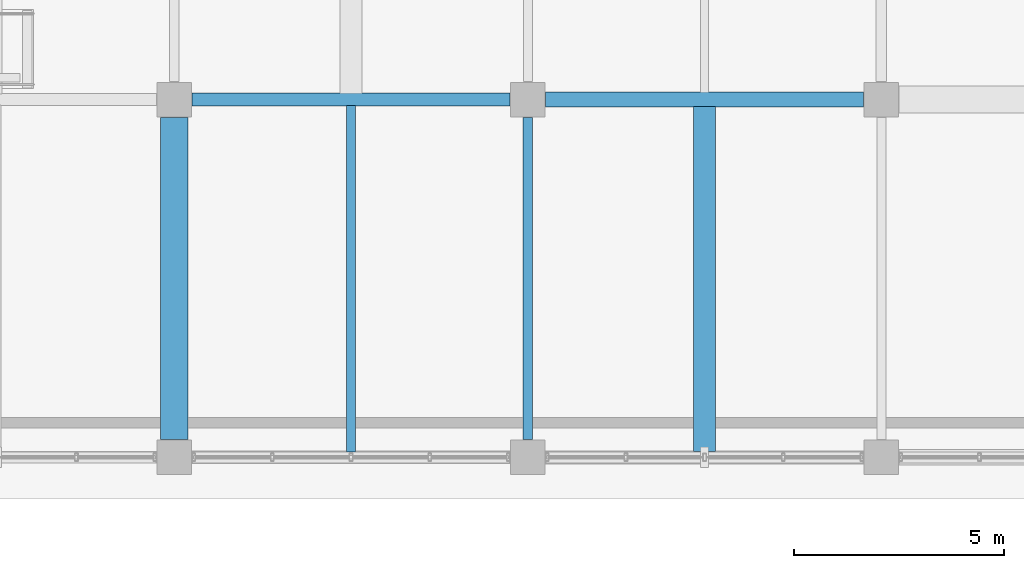
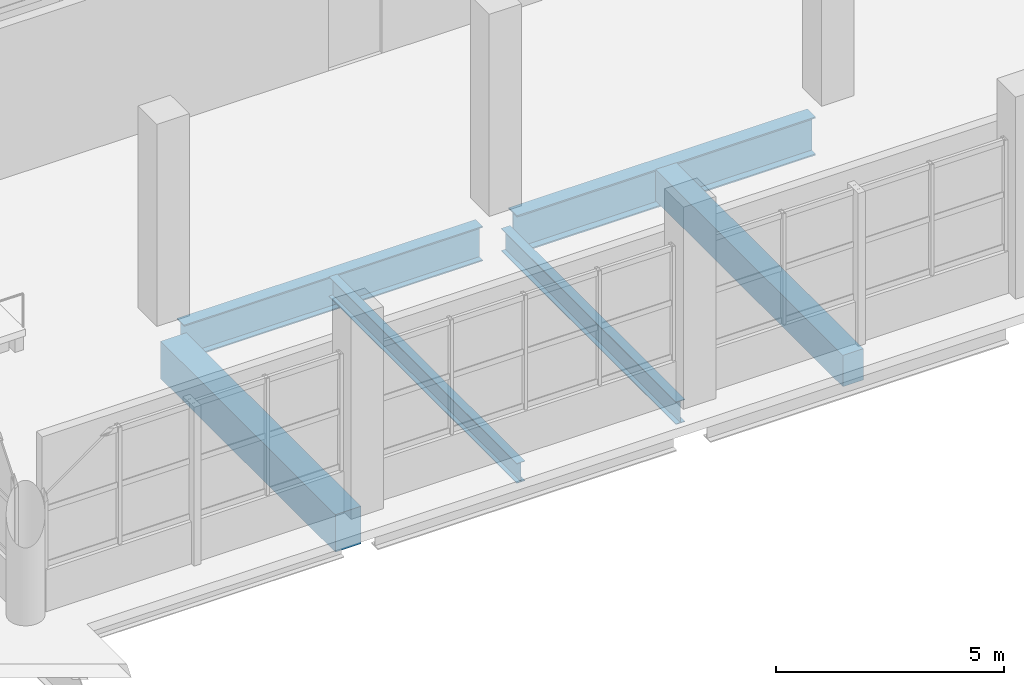
# One storey, part 32 of 107: 6 beams.
"""IFC4 building model written with IfcOpenShell, lengths in metres."""

import ifcopenshell
import ifcopenshell.guid

model = None  # the IFC model being written
_history = None  # IfcOwnerHistory: only IFC2X3 demands one
_inside = {}  # id of a spatial element -> (the spatial element, [elements in it])
_under = {}  # id of a project, library or spatial element -> (it, [spatial elements below it])
_declared = {}  # id of a project -> (the project, [libraries it declares])
_typed = {}  # id of a type object -> (the type object, [elements of that type])
_made_of = {}  # id of a material, layer set ... -> (it, [elements and type objects made of it])


def new_model(schema):
    """Start an empty IFC model of exactly this schema.

    Asked for "IFC4X3", IfcOpenShell would pick the latest addendum, in which some entities
    have other attributes; the version numbers below select the first issue.
    IFC2X3 requires an IfcOwnerHistory on every rooted entity: one is made here for all.
    """
    global model, _history
    if schema == "IFC4X3":
        model = ifcopenshell.file(schema_version=(4, 3, 0, 0))
    else:
        model = ifcopenshell.file(schema=schema)
    _inside.clear()
    _under.clear()
    _declared.clear()
    _typed.clear()
    _made_of.clear()
    _history = None
    if model.schema == "IFC2X3":
        org = make("IfcOrganization", Name="unknown")
        user = make(
            "IfcPersonAndOrganization",
            ThePerson=make("IfcPerson", FamilyName="unknown"),
            TheOrganization=org,
        )
        app = make(
            "IfcApplication",
            ApplicationDeveloper=org,
            Version="unknown",
            ApplicationFullName="unknown",
            ApplicationIdentifier="unknown",
        )
        _history = make(
            "IfcOwnerHistory",
            OwningUser=user,
            OwningApplication=app,
            ChangeAction="ADDED",
            CreationDate=0,
        )
    return model


def make(cls, **values):
    """One entity of the class cls with the attributes given. An attribute that is None is left unset."""
    return model.create_entity(
        cls, **{name: value for name, value in values.items() if value is not None}
    )


def rooted(cls, **values):
    """An entity with a GlobalId (a new one), such as an element, a storey or a relation."""
    return make(cls, GlobalId=ifcopenshell.guid.new(), OwnerHistory=_history, **values)


def si_unit(unit_type, name, prefix=None):
    """IfcSIUnit, for example si_unit("LENGTHUNIT", "METRE", prefix="MILLI")."""
    return make("IfcSIUnit", UnitType=unit_type, Prefix=prefix, Name=name)


def assignment(units):
    """IfcUnitAssignment: the units of a project."""
    return None if units is None else make("IfcUnitAssignment", Units=units)


def point(xyz):
    """IfcCartesianPoint."""
    return None if xyz is None else make("IfcCartesianPoint", Coordinates=xyz)


def direction(xyz):
    """IfcDirection."""
    return None if xyz is None else make("IfcDirection", DirectionRatios=xyz)


def frame(location, z_axis=None, x_axis=None):
    """IfcAxis2Placement3D, a coordinate frame: its origin and axes. An axis left out is left unset."""
    return make(
        "IfcAxis2Placement3D",
        Location=point(location),
        Axis=direction(z_axis),
        RefDirection=direction(x_axis),
    )


def frame_2d(location, x_axis=None):
    """IfcAxis2Placement2D, a coordinate frame in the plane: its origin and x axis."""
    return make(
        "IfcAxis2Placement2D", Location=point(location), RefDirection=direction(x_axis)
    )


def origin():
    """The frame at (0, 0, 0) with its axes left unset."""
    return frame((0.0, 0.0, 0.0))


def origin_2d():
    """The frame at (0, 0) in the plane with its x axis left unset."""
    return frame_2d((0.0, 0.0))


def place(relative_to, where):
    """IfcLocalPlacement: puts the frame where relative to a parent placement (None: the world)."""
    return make(
        "IfcLocalPlacement", PlacementRelTo=relative_to, RelativePlacement=where
    )


def context(
    kind, dimensions, precision=None, world=None, true_north=None, identifier=None
):
    """IfcGeometricRepresentationContext, for example the 3D "Model" context."""
    return make(
        "IfcGeometricRepresentationContext",
        ContextIdentifier=identifier,
        ContextType=kind,
        CoordinateSpaceDimension=dimensions,
        Precision=precision,
        WorldCoordinateSystem=world,
        TrueNorth=true_north,
    )


def subcontext(parent, identifier, kind, view, scale=None):
    """IfcGeometricRepresentationSubContext, for example "Body" below "Model"."""
    return make(
        "IfcGeometricRepresentationSubContext",
        ContextIdentifier=identifier,
        ContextType=kind,
        ParentContext=parent,
        TargetScale=scale,
        TargetView=view,
    )


def project(units=None, contexts=None):
    """IfcProject with its units and contexts."""
    return rooted(
        "IfcProject",
        Name="project",
        RepresentationContexts=contexts,
        UnitsInContext=assignment(units),
    )


def spatial(cls, under=None, at=None, **own):
    """A site, building, storey or space (cls), placed at a placement, below another one or the project."""
    s = rooted(cls, ObjectPlacement=at, **own)
    if under is not None:
        _under.setdefault(under.id(), (under, []))[1].append(s)
    return s


def profile(cls, at=None, kind="AREA", **sizes):
    """A parametric profile (cls). Its sizes go by their IFC names, for example OverallWidth=200.0."""
    return make(cls, ProfileType=kind, Position=at, **sizes)


def rectangle(**sizes):
    """IfcRectangleProfileDef."""
    return profile("IfcRectangleProfileDef", **sizes)


def i_section(**sizes):
    """IfcIShapeProfileDef."""
    return profile("IfcIShapeProfileDef", **sizes)


def extrude(swept, where, along, depth):
    """IfcExtrudedAreaSolid: the profile swept, set in the frame where, extruded along a direction by depth."""
    return make(
        "IfcExtrudedAreaSolid",
        SweptArea=swept,
        Position=where,
        ExtrudedDirection=direction(along),
        Depth=depth,
    )


def shape(context_of_items, identifier, shape_type, items):
    """IfcShapeRepresentation: the items that make up one representation, for example the "Body"."""
    return make(
        "IfcShapeRepresentation",
        ContextOfItems=context_of_items,
        RepresentationIdentifier=identifier,
        RepresentationType=shape_type,
        Items=items,
    )


def material(Name=None, Category=None):
    """IfcMaterial."""
    return make("IfcMaterial", Name=Name, Category=Category)


def material_profile(
    of_material, cross_section, Name=None, Category=None, Priority=None
):
    """IfcMaterialProfile: a cross section and its material."""
    return make(
        "IfcMaterialProfile",
        Name=Name,
        Material=of_material,
        Profile=cross_section,
        Priority=Priority,
        Category=Category,
    )


def profile_set(profiles, Name=None, composite=None):
    """IfcMaterialProfileSet."""
    return make(
        "IfcMaterialProfileSet",
        Name=Name,
        MaterialProfiles=profiles,
        CompositeProfile=composite,
    )


def made_of(thing, what):
    """Note that an element or type object is made of a material, layer set ...; save() writes the relation."""
    if what is not None:
        _made_of.setdefault(what.id(), (what, []))[1].append(thing)
    return thing


def type_object(cls, material=None, **own):
    """A type object (cls), such as IfcWallType, which elements share."""
    return made_of(rooted(cls, **own), material)


def element(
    cls,
    number,
    at=None,
    inside=None,
    cuts=None,
    type_object=None,
    material=None,
    context=None,
    identifier="Body",
    shape_type=None,
    held_by="IfcProductDefinitionShape",
    body=None,
    shapes=None,
    **own,
):
    """One element of the class cls, such as IfcWall. Its Tag is "e" and its number.

    at: its placement. inside: the storey or other place that contains it. cuts: it is an
    opening in that element (IfcRelVoidsElement). A single representation is given by context,
    identifier, shape_type and body (its items); several are given by shapes. held_by: the class
    of the entity that holds the representations. save() writes the other relations.
    """
    e = rooted(cls, Tag="e%d" % number, ObjectPlacement=at, **own)
    if body is not None:
        shapes = [shape(context, identifier, shape_type, body)]
    if shapes is not None:
        e.Representation = make(held_by, Representations=shapes)
    if inside is not None:
        _inside.setdefault(inside.id(), (inside, []))[1].append(e)
    if cuts is not None:
        rooted(
            "IfcRelVoidsElement", RelatingBuildingElement=cuts, RelatedOpeningElement=e
        )
    if type_object is not None:
        _typed.setdefault(type_object.id(), (type_object, []))[1].append(e)
    return made_of(e, material)


def aggregate(whole, parts):
    """IfcRelAggregates: a whole, such as a stair, and the parts it consists of."""
    return rooted("IfcRelAggregates", RelatingObject=whole, RelatedObjects=parts)


def save(model, path):
    """Write the relations noted so far, then the file.

    IfcRelAggregates (storeys below a building ...), IfcRelContainedInSpatialStructure (elements
    in a storey), IfcRelDefinesByType, IfcRelAssociatesMaterial and IfcRelDeclares: one each for
    every whole, place, type object, material and project.
    """
    for whole, parts in _under.values():
        aggregate(whole, parts)
    for where, things in _inside.values():
        rooted(
            "IfcRelContainedInSpatialStructure",
            RelatedElements=things,
            RelatingStructure=where,
        )
    for kind, things in _typed.values():
        rooted("IfcRelDefinesByType", RelatedObjects=things, RelatingType=kind)
    for what, things in _made_of.values():
        rooted("IfcRelAssociatesMaterial", RelatedObjects=things, RelatingMaterial=what)
    for by, libraries in _declared.values():
        rooted("IfcRelDeclares", RelatingContext=by, RelatedDefinitions=libraries)
    model.write(path)


model = new_model("IFC4")

# Units and contexts
model_context = context("Model", 3, precision=1e-05, world=origin(), true_north=direction((0.0, 1.0)))
body_context = subcontext(model_context, "Body", "Model", "MODEL_VIEW")
ifc_project = project(units=[si_unit("LENGTHUNIT", "METRE"), si_unit("AREAUNIT", "SQUARE_METRE"), si_unit("VOLUMEUNIT", "CUBIC_METRE"), si_unit("PLANEANGLEUNIT", "RADIAN"), si_unit("MASSUNIT", "GRAM", prefix="KILO")], contexts=[model_context])

# Site, building, storey
site_placement = place(None, origin())
site = spatial("IfcSite", under=ifc_project, at=site_placement, CompositionType="ELEMENT")
building_placement = place(site_placement, origin())
building = spatial("IfcBuilding", under=site, at=building_placement, Name="Solvento Point Concert Hall", CompositionType="ELEMENT")
storey_placement = place(building_placement, origin())
storey = spatial("IfcBuildingStorey", under=building, at=storey_placement, Name="L00", CompositionType="ELEMENT", Elevation=0.0)

# Beams
ifc_material_1 = material(Name="Concrete C35/45", Category="concrete")
ifc_material_profile_1 = material_profile(ifc_material_1, rectangle(XDim=0.52001953125, YDim=0.840087890625, at=origin_2d()), Name="RC-BM-520X840")
ifc_profile_set_1 = profile_set([ifc_material_profile_1], Name="Concrete C35/45")
beam_type_1 = type_object("IfcBeamType", Name="Beam_RC_520x840", PredefinedType="BEAM", material=ifc_profile_set_1)
beam_1_placement = place(storey_placement, frame((45.0, 119.138916015625, -0.833984375), z_axis=(0.0, 1.0, 0.0), x_axis=(-1.0, 0.0, 0.0)))
element("IfcBeam", 1, at=beam_1_placement, inside=storey, type_object=beam_type_1, Name="Secondary floor joist B-54 L00", PredefinedType="BEAM", context=body_context, shape_type="SweptSolid", body=[
    extrude(rectangle(XDim=0.52001953125, YDim=0.840087890625, at=origin_2d()), origin(), (0.0, 0.0, 1.0), 8.195556640625),
])
ifc_material_2 = material(Name="Structural Steel ASTM A992 Grade 50", Category="steel")
ifc_material_profile_2 = material_profile(ifc_material_2, i_section(OverallWidth=0.20947265625, OverallDepth=0.532958984375, WebThickness=0.01025390625, FlangeThickness=0.015625, at=origin_2d()), Name="W21X62")
ifc_profile_set_2 = profile_set([ifc_material_profile_2], Name="Structural Steel ASTM A992 Grade 50")
beam_type_2 = type_object("IfcBeamType", Name="Beam_W21X62", PredefinedType="BEAM", material=ifc_profile_set_2)
beam_2_placement = place(storey_placement, frame((36.60009765625, 119.131103515625, -0.680419921875), z_axis=(0.0, 1.0, 0.0), x_axis=(-1.0, 0.0, 0.0)))
element("IfcBeam", 2, at=beam_2_placement, inside=storey, type_object=beam_type_2, Name="Secondary floor joist B-25 L00", PredefinedType="BEAM", context=body_context, shape_type="SweptSolid", body=[
    extrude(i_section(OverallWidth=0.20947265625, OverallDepth=0.532958984375, WebThickness=0.01025390625, FlangeThickness=0.015625, at=origin_2d()), origin(), (0.0, 0.0, 1.0), 8.22998046875),
])
ifc_material_3 = material(Name="Structural Steel ASTM A992 Grade 50", Category="steel")
ifc_material_profile_3 = material_profile(ifc_material_3, i_section(OverallWidth=0.228515625, OverallDepth=0.60791015625, WebThickness=0.01123046875, FlangeThickness=0.017333984375, at=origin_2d()), Name="W24X76")
ifc_profile_set_3 = profile_set([ifc_material_profile_3], Name="Structural Steel ASTM A992 Grade 50")
beam_type_3 = type_object("IfcBeamType", Name="Beam_W24X76", PredefinedType="BEAM", material=ifc_profile_set_3)
beam_3_placement = place(storey_placement, frame((40.800048828125, 119.424072265625, -0.718017578125), z_axis=(0.0, 1.0, 0.0), x_axis=(-1.0, 0.0, 0.0)))
element("IfcBeam", 3, at=beam_3_placement, inside=storey, type_object=beam_type_3, Name="Primary girder B-42 L00", PredefinedType="BEAM", context=body_context, shape_type="SweptSolid", body=[
    extrude(i_section(OverallWidth=0.228515625, OverallDepth=0.60791015625, WebThickness=0.01123046875, FlangeThickness=0.017333984375, at=origin_2d()), origin(), (0.0, 0.0, 1.0), 7.65185546875),
])
ifc_material_4 = material(Name="Concrete C35/45", Category="concrete")
ifc_material_profile_4 = material_profile(ifc_material_4, rectangle(XDim=0.64990234375, YDim=1.0, at=origin_2d()), Name="RC-BM-650X1000")
ifc_profile_set_4 = profile_set([ifc_material_profile_4], Name="Concrete C35/45")
beam_type_4 = type_object("IfcBeamType", Name="Girder_RC_650x1000", PredefinedType="USERDEFINED", material=ifc_profile_set_4)
beam_4_placement = place(storey_placement, frame((32.39990234375, 119.424072265625, -0.9140625), z_axis=(0.0, 1.0, 0.0), x_axis=(-1.0, 0.0, 0.0)))
element("IfcBeam", 4, at=beam_4_placement, inside=storey, type_object=beam_type_4, Name="Primary girder B-67 L00", ObjectType="GIRDER", PredefinedType="USERDEFINED", context=body_context, shape_type="SweptSolid", body=[
    extrude(rectangle(XDim=0.64990234375, YDim=1.0, at=origin_2d()), origin(), (0.0, 0.0, 1.0), 7.65185546875),
])
ifc_material_5 = material(Name="Structural Steel ASTM A992 Grade 50", Category="steel")
ifc_material_profile_5 = material_profile(ifc_material_5, i_section(OverallWidth=0.3076171875, OverallDepth=0.927001953125, WebThickness=0.019287109375, FlangeThickness=0.031982421875, at=origin_2d()), Name="W36X194")
ifc_profile_set_5 = profile_set([ifc_material_profile_5], Name="Structural Steel ASTM A992 Grade 50")
beam_type_5 = type_object("IfcBeamType", Name="Girder_W36X194", PredefinedType="USERDEFINED", material=ifc_profile_set_5)
beam_5_placement = place(storey_placement, frame((32.823974609375, 127.5, -0.87744140625), z_axis=(1.0, 0.0, 0.0), x_axis=(0.0, 1.0, 0.0)))
element("IfcBeam", 5, at=beam_5_placement, inside=storey, type_object=beam_type_5, Name="Primary girder B-61 L00", ObjectType="GIRDER", PredefinedType="USERDEFINED", context=body_context, shape_type="SweptSolid", body=[
    extrude(i_section(OverallWidth=0.3076171875, OverallDepth=0.927001953125, WebThickness=0.019287109375, FlangeThickness=0.031982421875, at=origin_2d()), origin(), (0.0, 0.0, 1.0), 7.552001953125),
])
ifc_material_6 = material(Name="Structural Steel ASTM A992 Grade 50", Category="steel")
ifc_material_profile_6 = material_profile(ifc_material_6, i_section(OverallWidth=0.361083984375, OverallDepth=1.02587890625, WebThickness=0.01904296875, FlangeThickness=0.0361328125, at=origin_2d()), Name="W40X249")
ifc_profile_set_6 = profile_set([ifc_material_profile_6], Name="Structural Steel ASTM A992 Grade 50")
beam_type_6 = type_object("IfcBeamType", Name="Girder_W40X249", PredefinedType="USERDEFINED", material=ifc_profile_set_6)
beam_6_placement = place(storey_placement, frame((41.22412109375, 127.5, -0.927001953125), z_axis=(1.0, 0.0, 0.0), x_axis=(0.0, 1.0, 0.0)))
element("IfcBeam", 6, at=beam_6_placement, inside=storey, type_object=beam_type_6, Name="Primary girder B-29 L00", ObjectType="GIRDER", PredefinedType="USERDEFINED", context=body_context, shape_type="SweptSolid", body=[
    extrude(i_section(OverallWidth=0.361083984375, OverallDepth=1.02587890625, WebThickness=0.01904296875, FlangeThickness=0.0361328125, at=origin_2d()), origin(), (0.0, 0.0, 1.0), 7.5517578125),
])

save(model, "model.ifc")
